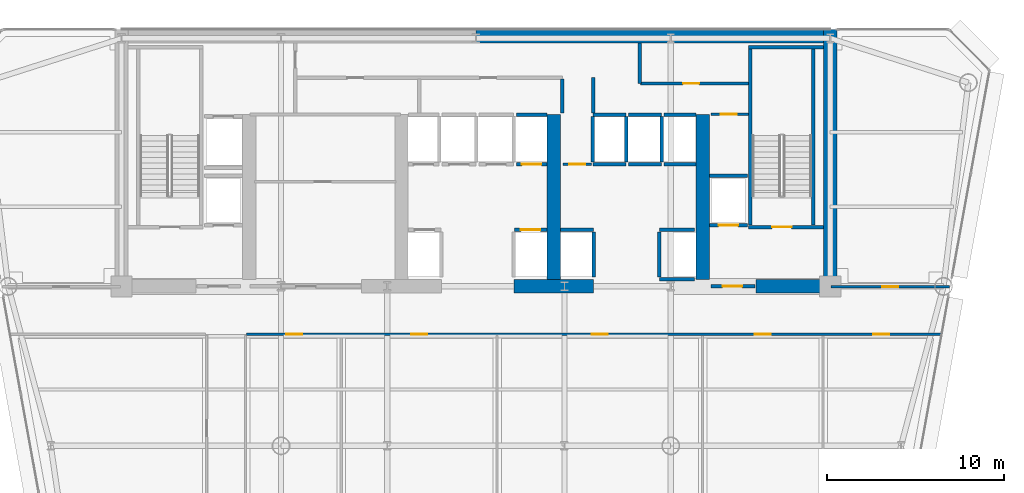
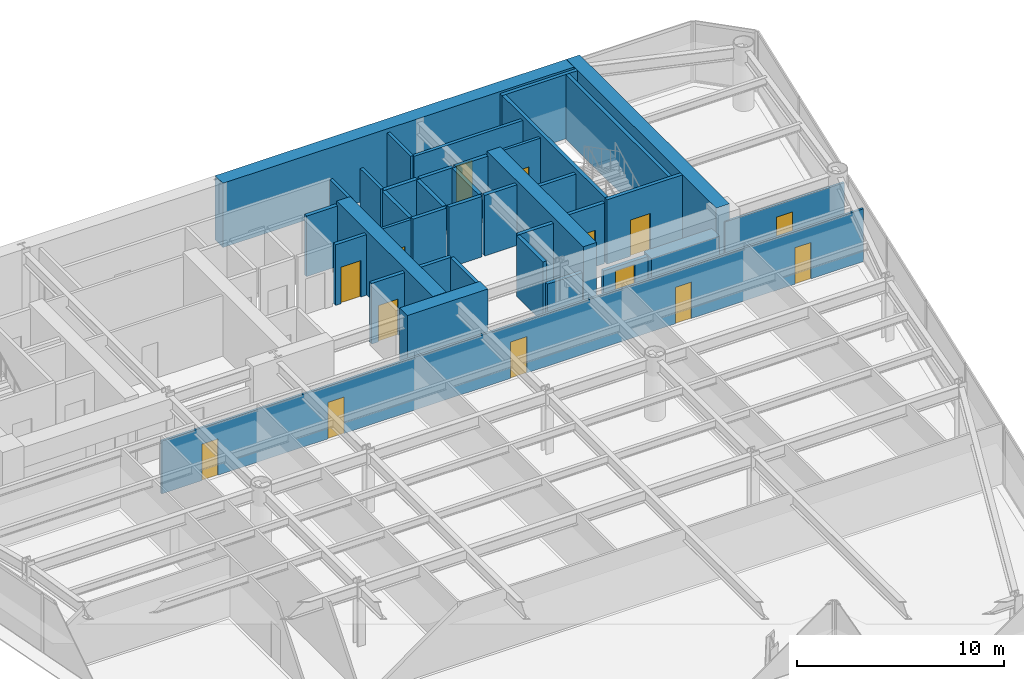
# One storey, part 9 of 14: 38 walls, 14 doors, 14 openings.
"""IFC4 building model written with IfcOpenShell, lengths in metres."""

from ifc_helpers import new_model, si_unit, direction, frame, frame_2d, origin, place, context, subcontext, project, spatial, rectangle, extrude, source, transform, mapped, material, layer, layer_set, type_object, element, fill, save


model = new_model("IFC4")

# Units and contexts
model_context = context("Model", 3, precision=1e-05, world=origin(), true_north=direction((0.0, 1.0)))
body_context = subcontext(model_context, "Body", "Model", "MODEL_VIEW")
ifc_project = project(units=[si_unit("LENGTHUNIT", "METRE"), si_unit("AREAUNIT", "SQUARE_METRE"), si_unit("VOLUMEUNIT", "CUBIC_METRE"), si_unit("PLANEANGLEUNIT", "RADIAN"), si_unit("MASSUNIT", "GRAM", prefix="KILO")], contexts=[model_context])

# Site, building, storey
site_placement = place(None, origin())
site = spatial("IfcSite", under=ifc_project, at=site_placement, CompositionType="ELEMENT")
building_placement = place(site_placement, origin())
building = spatial("IfcBuilding", under=site, at=building_placement, Name="Vaeldorn Concourse Tower", CompositionType="ELEMENT")
storey_placement = place(building_placement, frame((0.0, 0.0, 137.60009765625)))
storey = spatial("IfcBuildingStorey", under=building, at=storey_placement, Name="L35", CompositionType="ELEMENT", Elevation=137.60009765625)

# Walls
ifc_material_1 = material(Name="Concrete C60/75", Category="concrete")
ifc_layer_1 = layer(ifc_material_1, 0.75)
ifc_layer_set_1 = layer_set([ifc_layer_1], Name="Concrete C60/75")
wall_type_1 = type_object("IfcWallType", Name="WL-CORE-750", PredefinedType="SHEAR", material=ifc_layer_set_1)
wall_1_placement = place(storey_placement, frame((34.001953125, 50.625, 0.0), z_axis=(0.0, 0.0, 1.0), x_axis=(1.0, 0.0, 0.0)))
element("IfcWall", 1, at=wall_1_placement, inside=storey, type_object=wall_type_1, Name="Rear Core Shear Wall L35 N2", PredefinedType="SHEAR", context=body_context, shape_type="SweptSolid", body=[
    extrude(rectangle(XDim=19.619140625, YDim=0.75, at=frame_2d((9.8095703125, 0.0))), origin(), (0.0, 0.0, 1.0), 3.7998046875),
])
wall_2_placement = place(storey_placement, frame((54.0, 36.5, 0.0), z_axis=(0.0, 0.0, 1.0), x_axis=(0.0, 1.0, 0.0)))
element("IfcWall", 2, at=wall_2_placement, inside=storey, type_object=wall_type_1, Name="Rear Core Shear Wall L35 E1", PredefinedType="SHEAR", context=body_context, shape_type="SweptSolid", body=[
    extrude(rectangle(XDim=14.5, YDim=0.75, at=frame_2d((7.25, 0.0))), origin(), (0.0, 0.0, 1.0), 3.7998046875),
])
wall_3_placement = place(storey_placement, frame((36.14990234375, 36.5, 0.0), z_axis=(0.0, 0.0, 1.0), x_axis=(1.0, 0.0, 0.0)))
element("IfcWall", 3, at=wall_3_placement, inside=storey, type_object=wall_type_1, Name="Rear Core Shear Wall L35 S3", PredefinedType="SHEAR", context=body_context, shape_type="SweptSolid", body=[
    extrude(rectangle(XDim=4.5, YDim=0.75, at=frame_2d((2.25, 0.0))), origin(), (0.0, 0.0, 1.0), 3.7998046875),
])
wall_4_placement = place(storey_placement, frame((49.800048828125, 36.5, 0.0), z_axis=(0.0, 0.0, 1.0), x_axis=(1.0, 0.0, 0.0)))
element("IfcWall", 4, at=wall_4_placement, inside=storey, type_object=wall_type_1, Name="Rear Core Shear Wall L35 S4", PredefinedType="SHEAR", context=body_context, shape_type="SweptSolid", body=[
    extrude(rectangle(XDim=3.804931640625, YDim=0.75, at=frame_2d((1.90234375, 0.0))), origin(), (0.0, 0.0, 1.0), 2.3798828125),
])
for number, where, z_axis, x_axis, name in (
    (5, (38.39990234375, 36.89501953125, 0.0), (0.0, 0.0, 1.0), (0.0, 1.0, 0.0), "Rear Core Shear Wall L35 M3"),
    (6, (46.800048828125, 36.89501953125, 0.0), (0.0, 0.0, 1.0), (0.0, 1.0, 0.0), "Rear Core Shear Wall L35 M4"),
):
    element("IfcWall", number, at=place(storey_placement, frame(where, z_axis=z_axis, x_axis=x_axis)), inside=storey, type_object=wall_type_1, Name=name, PredefinedType="SHEAR", context=body_context, shape_type="SweptSolid", body=[
        extrude(rectangle(XDim=9.304931640625, YDim=0.75, at=frame_2d((4.65234375, 0.0))), origin(), (0.0, 0.0, 1.0), 3.7998046875),
    ])

# Wall, openings, doors
ifc_material_2 = material(Name="Gypsum Board Partition", Category="gypsum")
ifc_layer_2 = layer(ifc_material_2, 0.1201171875)
ifc_layer_set_2 = layer_set([ifc_layer_2], Name="Gypsum Board Partition")
wall_type_2 = type_object("IfcWallType", Name="WL-PART-120", PredefinedType="PARTITIONING", material=ifc_layer_set_2)
wall_5_placement = place(storey_placement, frame((21.06005859375, 33.800048828125, 0.0), z_axis=(0.0, 0.0, 1.0), x_axis=(1.0, 0.0, 0.0)))
wall_5 = element("IfcWall", 7, at=wall_5_placement, inside=storey, type_object=wall_type_2, Name="Interior Wall PW-L35-C2SE", PredefinedType="PARTITIONING", context=body_context, shape_type="SweptSolid", body=[
    extrude(rectangle(XDim=39.195068359375, YDim=0.1201171875, at=frame_2d((19.59765625, 0.0))), origin(), (0.0, 0.0, 1.0), 3.119873046875),
])
opening_1_placement = place(wall_5_placement, frame((2.239990234375, 0.0, 0.0)))
opening_1 = element("IfcOpeningElement", 8, at=opening_1_placement, cuts=wall_5, Name="Opening D-03", PredefinedType="OPENING", context=body_context, shape_type="SweptSolid", body=[
    extrude(rectangle(XDim=0.89990234375, YDim=2.14990234375, at=frame_2d((0.449951171875, 1.074951171875))), frame((0.0, 0.070068359375, 0.0), z_axis=(0.0, -1.0, 0.0), x_axis=(1.0, 0.0, 0.0)), (0.0, 0.0, 1.0), 0.14013671875),
])
opening_2_placement = place(wall_5_placement, frame((9.2900390625, 0.0, 0.0)))
opening_2 = element("IfcOpeningElement", 9, at=opening_2_placement, cuts=wall_5, Name="Opening D-03", PredefinedType="OPENING", context=body_context, shape_type="SweptSolid", body=[
    extrude(rectangle(XDim=0.89990234375, YDim=2.14990234375, at=frame_2d((0.449951171875, 1.074951171875))), frame((0.0, 0.070068359375, 0.0), z_axis=(0.0, -1.0, 0.0), x_axis=(1.0, 0.0, 0.0)), (0.0, 0.0, 1.0), 0.14013671875),
])
opening_3_placement = place(wall_5_placement, frame((19.489990234375, 0.0, 0.0)))
opening_3 = element("IfcOpeningElement", 10, at=opening_3_placement, cuts=wall_5, Name="Opening D-03", PredefinedType="OPENING", context=body_context, shape_type="SweptSolid", body=[
    extrude(rectangle(XDim=0.89990234375, YDim=2.14990234375, at=frame_2d((0.449951171875, 1.074951171875))), frame((0.0, 0.070068359375, 0.0), z_axis=(0.0, -1.0, 0.0), x_axis=(1.0, 0.0, 0.0)), (0.0, 0.0, 1.0), 0.14013671875),
])
opening_4_placement = place(wall_5_placement, frame((28.68994140625, 0.0, 0.0)))
opening_4 = element("IfcOpeningElement", 11, at=opening_4_placement, cuts=wall_5, Name="Opening D-03", PredefinedType="OPENING", context=body_context, shape_type="SweptSolid", body=[
    extrude(rectangle(XDim=0.89990234375, YDim=2.14990234375, at=frame_2d((0.449951171875, 1.074951171875))), frame((0.0, 0.070068359375, 0.0), z_axis=(0.0, -1.0, 0.0), x_axis=(1.0, 0.0, 0.0)), (0.0, 0.0, 1.0), 0.14013671875),
])
opening_5_placement = place(wall_5_placement, frame((35.367919921875, 0.0, 0.0)))
opening_5 = element("IfcOpeningElement", 12, at=opening_5_placement, cuts=wall_5, Name="Opening D-03", PredefinedType="OPENING", context=body_context, shape_type="SweptSolid", body=[
    extrude(rectangle(XDim=0.89990234375, YDim=2.14990234375, at=frame_2d((0.449951171875, 1.074951171875))), frame((0.0, 0.070068359375, 0.0), z_axis=(0.0, -1.0, 0.0), x_axis=(1.0, 0.0, 0.0)), (0.0, 0.0, 1.0), 0.14013671875),
])
ifc_material_3 = material(Name="Acoustic Bronze-Framed Glass Door", Category="glass")
door_type_1 = type_object("IfcDoorType", Name="DR-INT-900", OperationType="NOTDEFINED", PredefinedType="DOOR", material=ifc_material_3)
shared_shape_1 = source(origin(), body_context, "Body", "SweptSolid", [
    extrude(rectangle(XDim=0.89990234375, YDim=2.14990234375, at=frame_2d((0.449951171875, 1.074951171875))), frame((0.0, 0.02490234375, 0.0), z_axis=(0.0, -1.0, 0.0), x_axis=(1.0, 0.0, 0.0)), (0.0, 0.0, 1.0), 0.050048828125),
])
door_1_placement = place(opening_1_placement, origin())
door_1 = element("IfcDoor", 13, at=door_1_placement, inside=storey, type_object=door_type_1, Name="Interior Door DR-L35-Z2E1", OperationType="SINGLE_SWING_RIGHT", OverallHeight=2.14990234375, OverallWidth=0.89990234375, PredefinedType="DOOR", context=body_context, shape_type="MappedRepresentation", body=[
    mapped(shared_shape_1, transform((0.0, 0.0, 0.0), scale=1.0)),
])
fill(opening_1, door_1)
door_2_placement = place(opening_2_placement, origin())
door_2 = element("IfcDoor", 14, at=door_2_placement, inside=storey, type_object=door_type_1, Name="Interior Door DR-L35-Z2E2", OperationType="SINGLE_SWING_LEFT", OverallHeight=2.14990234375, OverallWidth=0.89990234375, PredefinedType="DOOR", context=body_context, shape_type="MappedRepresentation", body=[
    mapped(shared_shape_1, transform((0.0, 0.0, 0.0), scale=1.0)),
])
fill(opening_2, door_2)
door_3_placement = place(opening_3_placement, origin())
door_3 = element("IfcDoor", 15, at=door_3_placement, inside=storey, type_object=door_type_1, Name="Interior Door DR-L35-Z2E3", OperationType="SINGLE_SWING_RIGHT", OverallHeight=2.14990234375, OverallWidth=0.89990234375, PredefinedType="DOOR", context=body_context, shape_type="MappedRepresentation", body=[
    mapped(shared_shape_1, transform((0.0, 0.0, 0.0), scale=1.0)),
])
fill(opening_3, door_3)
door_4_placement = place(opening_4_placement, origin())
door_4 = element("IfcDoor", 16, at=door_4_placement, inside=storey, type_object=door_type_1, Name="Interior Door DR-L35-Z2E4", OperationType="SINGLE_SWING_LEFT", OverallHeight=2.14990234375, OverallWidth=0.89990234375, PredefinedType="DOOR", context=body_context, shape_type="MappedRepresentation", body=[
    mapped(shared_shape_1, transform((0.0, 0.0, 0.0), scale=1.0)),
])
fill(opening_4, door_4)
door_5_placement = place(opening_5_placement, origin())
door_5 = element("IfcDoor", 17, at=door_5_placement, inside=storey, type_object=door_type_1, Name="Interior Door DR-L35-Z2E5", OperationType="SINGLE_SWING_RIGHT", OverallHeight=2.14990234375, OverallWidth=0.89990234375, PredefinedType="DOOR", context=body_context, shape_type="MappedRepresentation", body=[
    mapped(shared_shape_1, transform((0.0, 0.0, 0.0), scale=1.0)),
])
fill(opening_5, door_5)

# Wall, opening, door
wall_6_placement = place(storey_placement, frame((54.06005859375, 36.47998046875, 0.0), z_axis=(0.0, 0.0, 1.0), x_axis=(1.0, 0.0, 0.0)))
wall_6 = element("IfcWall", 18, at=wall_6_placement, inside=storey, type_object=wall_type_2, Name="Interior Wall PW-L35-NES", PredefinedType="PARTITIONING", context=body_context, shape_type="SweptSolid", body=[
    extrude(rectangle(XDim=6.67626953125, YDim=0.1201171875, at=frame_2d((3.338134765625, 0.0))), origin(), (0.0, 0.0, 1.0), 2.869873046875),
])
opening_6_placement = place(wall_6_placement, frame((2.887939453125, 0.0, 0.0)))
opening_6 = element("IfcOpeningElement", 19, at=opening_6_placement, cuts=wall_6, Name="Opening D-03", PredefinedType="OPENING", context=body_context, shape_type="SweptSolid", body=[
    extrude(rectangle(XDim=0.89990234375, YDim=2.14990234375, at=frame_2d((0.449951171875, 1.074951171875))), frame((0.0, 0.070068359375, 0.0), z_axis=(0.0, -1.0, 0.0), x_axis=(1.0, 0.0, 0.0)), (0.0, 0.0, 1.0), 0.14013671875),
])
door_6_placement = place(opening_6_placement, origin())
door_6 = element("IfcDoor", 20, at=door_6_placement, inside=storey, type_object=door_type_1, Name="Interior Door DR-L35-NEC", OperationType="SINGLE_SWING_RIGHT", OverallHeight=2.14990234375, OverallWidth=0.89990234375, PredefinedType="DOOR", context=body_context, shape_type="MappedRepresentation", body=[
    mapped(shared_shape_1, transform((0.0, 0.0, 0.0), scale=1.0)),
])
fill(opening_6, door_6)

ifc_layer_3 = layer(ifc_material_2, 0.14990234375)
ifc_layer_set_3 = layer_set([ifc_layer_3], Name="Gypsum Board Partition")
wall_type_3 = type_object("IfcWallType", Name="WL-PART-150", PredefinedType="PARTITIONING", material=ifc_layer_set_3)
wall_7_placement = place(storey_placement, frame((47.280029296875, 46.219970703125, 0.0), z_axis=(0.0, 0.0, 1.0), x_axis=(1.0, 0.0, 0.0)))
wall_7 = element("IfcWall", 21, at=wall_7_placement, inside=storey, type_object=wall_type_3, Name="Interior Wall CW-L35-CRSE-N", PredefinedType="PARTITIONING", context=body_context, shape_type="SweptSolid", body=[
    extrude(rectangle(XDim=2.099853515625, YDim=0.14990234375, at=frame_2d((1.0498046875, 0.0))), origin(), (0.0, 0.0, 1.0), 3.579833984375),
])
opening_7_placement = place(wall_7_placement, frame((0.550048828125, 0.0, 0.0)))
opening_7 = element("IfcOpeningElement", 22, at=opening_7_placement, cuts=wall_7, Name="Opening D-02", PredefinedType="OPENING", context=body_context, shape_type="SweptSolid", body=[
    extrude(rectangle(XDim=0.89990234375, YDim=2.10009765625, at=frame_2d((0.449951171875, 1.050048828125))), frame((0.0, 0.0849609375, 0.0), z_axis=(0.0, -1.0, 0.0), x_axis=(1.0, 0.0, 0.0)), (0.0, 0.0, 1.0), 0.169921875),
])
ifc_material_4 = material(Name="Fire-Rated Timber Leaf", Category="wood")
door_type_2 = type_object("IfcDoorType", Name="DR-FD30-900", OperationType="NOTDEFINED", PredefinedType="DOOR", material=ifc_material_4)
shared_shape_2 = source(origin(), body_context, "Body", "SweptSolid", [
    extrude(rectangle(XDim=0.89990234375, YDim=2.10009765625, at=frame_2d((0.449951171875, 1.050048828125))), frame((0.0, 0.02490234375, 0.0), z_axis=(0.0, -1.0, 0.0), x_axis=(1.0, 0.0, 0.0)), (0.0, 0.0, 1.0), 0.050048828125),
])
door_7_placement = place(opening_7_placement, origin())
door_7 = element("IfcDoor", 23, at=door_7_placement, inside=storey, type_object=door_type_2, Name="Interior Door DR-L35-CRSE", OperationType="SINGLE_SWING_RIGHT", OverallHeight=2.10009765625, OverallWidth=0.89990234375, PredefinedType="DOOR", context=body_context, shape_type="MappedRepresentation", body=[
    mapped(shared_shape_2, transform((0.0, 0.0, 0.0), scale=1.0)),
])
fill(opening_7, door_7)

wall_8_placement = place(storey_placement, frame((38.919921875, 43.39990234375, 0.0), z_axis=(0.0, 0.0, 1.0), x_axis=(1.0, 0.0, 0.0)))
wall_8 = element("IfcWall", 24, at=wall_8_placement, inside=storey, type_object=wall_type_3, Name="Interior Wall CW-L35-CCLINK", PredefinedType="PARTITIONING", context=body_context, shape_type="SweptSolid", body=[
    extrude(rectangle(XDim=1.60009765625, YDim=0.14990234375, at=frame_2d((0.800048828125, 0.0))), origin(), (0.0, 0.0, 1.0), 3.579833984375),
])
opening_8_placement = place(wall_8_placement, frame((0.35009765625, 0.0, 0.0)))
opening_8 = element("IfcOpeningElement", 25, at=opening_8_placement, cuts=wall_8, Name="Opening D-02", PredefinedType="OPENING", context=body_context, shape_type="SweptSolid", body=[
    extrude(rectangle(XDim=0.89990234375, YDim=2.10009765625, at=frame_2d((0.449951171875, 1.050048828125))), frame((0.0, 0.0849609375, 0.0), z_axis=(0.0, -1.0, 0.0), x_axis=(1.0, 0.0, 0.0)), (0.0, 0.0, 1.0), 0.169921875),
])
door_8_placement = place(opening_8_placement, origin())
door_8 = element("IfcDoor", 26, at=door_8_placement, inside=storey, type_object=door_type_2, Name="Interior Door DR-L35-CCLINK", OperationType="SINGLE_SWING_LEFT", OverallHeight=2.10009765625, OverallWidth=0.89990234375, PredefinedType="DOOR", context=body_context, shape_type="MappedRepresentation", body=[
    mapped(shared_shape_2, transform((0.0, 0.0, 0.0), scale=1.0)),
])
fill(opening_8, door_8)

# Walls
ifc_layer_4 = layer(ifc_material_2, 0.179931640625)
ifc_layer_set_4 = layer_set([ifc_layer_4], Name="Gypsum Board Partition")
wall_type_4 = type_object("IfcWallType", Name="WL-PLUMB-180", PredefinedType="PLUMBINGWALL", material=ifc_layer_set_4)
wall_9_placement = place(storey_placement, frame((38.8798828125, 46.280029296875, 0.0), z_axis=(0.0, 0.0, 1.0), x_axis=(0.0, 1.0, 0.0)))
element("IfcWall", 27, at=wall_9_placement, inside=storey, type_object=wall_type_4, Name="Interior Wall CW-L35-SDIV4", PredefinedType="PLUMBINGWALL", context=body_context, shape_type="SweptSolid", body=[
    extrude(rectangle(XDim=1.93994140625, YDim=0.179931640625, at=frame_2d((0.969970703125, 0.0))), origin(), (0.0, 0.0, 1.0), 3.579833984375),
])
wall_10_placement = place(storey_placement, frame((40.6201171875, 46.280029296875, 0.0), z_axis=(0.0, 0.0, 1.0), x_axis=(0.0, 1.0, 0.0)))
element("IfcWall", 28, at=wall_10_placement, inside=storey, type_object=wall_type_4, Name="Interior Wall CW-L35-SDIV5", PredefinedType="PLUMBINGWALL", context=body_context, shape_type="SweptSolid", body=[
    extrude(rectangle(XDim=2.0, YDim=0.179931640625, at=frame_2d((1.0, 0.0))), origin(), (0.0, 0.0, 1.0), 3.579833984375),
])
wall_11_placement = place(storey_placement, frame((43.25, 47.949951171875, 0.0), z_axis=(0.0, 0.0, 1.0), x_axis=(0.0, 1.0, 0.0)))
element("IfcWall", 29, at=wall_11_placement, inside=storey, type_object=wall_type_4, Name="Interior Wall CW-L35-SDIV6", PredefinedType="PLUMBINGWALL", context=body_context, shape_type="SweptSolid", body=[
    extrude(rectangle(XDim=2.280029296875, YDim=0.179931640625, at=frame_2d((1.14013671875, 0.0))), origin(), (0.0, 0.0, 1.0), 3.579833984375),
])

# Wall, opening, door
wall_12_placement = place(storey_placement, frame((43.300048828125, 47.949951171875, 0.0), z_axis=(0.0, 0.0, 1.0), x_axis=(1.0, 0.0, 0.0)))
wall_12 = element("IfcWall", 30, at=wall_12_placement, inside=storey, type_object=wall_type_4, Name="Interior Wall CW-L35-NS2EE", PredefinedType="PLUMBINGWALL", context=body_context, shape_type="SweptSolid", body=[
    extrude(rectangle(XDim=6.079833984375, YDim=0.179931640625, at=frame_2d((3.0400390625, 0.0))), origin(), (0.0, 0.0, 1.0), 3.579833984375),
])
opening_9_placement = place(wall_12_placement, frame((2.39990234375, 0.0, 0.0)))
opening_9 = element("IfcOpeningElement", 31, at=opening_9_placement, cuts=wall_12, Name="Opening D-03", PredefinedType="OPENING", context=body_context, shape_type="SweptSolid", body=[
    extrude(rectangle(XDim=0.89990234375, YDim=2.14990234375, at=frame_2d((0.449951171875, 1.074951171875))), frame((0.0, 0.10009765625, 0.0), z_axis=(0.0, -1.0, 0.0), x_axis=(1.0, 0.0, 0.0)), (0.0, 0.0, 1.0), 0.199951171875),
])
door_9_placement = place(opening_9_placement, origin())
door_9 = element("IfcDoor", 32, at=door_9_placement, inside=storey, type_object=door_type_1, Name="Interior Door DR-L35-CS5", OperationType="SINGLE_SWING_RIGHT", OverallHeight=2.14990234375, OverallWidth=0.89990234375, PredefinedType="DOOR", context=body_context, shape_type="MappedRepresentation", body=[
    mapped(shared_shape_1, transform((0.0, 0.0, 0.0), scale=1.0)),
])
fill(opening_9, door_9)

ifc_material_5 = material(Name="Concrete C50/60", Category="concrete")
ifc_layer_5 = layer(ifc_material_5, 0.199951171875)
ifc_layer_set_5 = layer_set([ifc_layer_5], Name="Concrete C50/60")
wall_type_5 = type_object("IfcWallType", Name="WL-SHAFT-200", PredefinedType="SOLIDWALL", material=ifc_layer_set_5)
wall_13_placement = place(storey_placement, frame((49.39990234375, 39.85009765625, 0.0), z_axis=(0.0, 0.0, 1.0), x_axis=(1.0, 0.0, 0.0)))
wall_13 = element("IfcWall", 33, at=wall_13_placement, inside=storey, type_object=wall_type_5, Name="Stair Shaft Wall CW-L35-ST-2-S", PredefinedType="SOLIDWALL", context=body_context, shape_type="SweptSolid", body=[
    extrude(rectangle(XDim=4.22509765625, YDim=0.199951171875, at=frame_2d((2.112548828125, 0.0))), origin(), (0.0, 0.0, 1.0), 3.7998046875),
])
opening_10_placement = place(wall_13_placement, frame((1.324951171875, 0.0, 0.0)))
opening_10 = element("IfcOpeningElement", 34, at=opening_10_placement, cuts=wall_13, Name="Opening D-01", PredefinedType="OPENING", context=body_context, shape_type="SweptSolid", body=[
    extrude(rectangle(XDim=1.10009765625, YDim=2.14990234375, at=frame_2d((0.550048828125, 1.074951171875))), frame((0.0, 0.10986328125, 0.0), z_axis=(0.0, -1.0, 0.0), x_axis=(1.0, 0.0, 0.0)), (0.0, 0.0, 1.0), 0.219970703125),
])
ifc_material_6 = material(Name="Fire-Rated Timber and Steel Leaf", Category="steel")
door_type_3 = type_object("IfcDoorType", Name="DR-FD60-1100", OperationType="NOTDEFINED", PredefinedType="DOOR", material=ifc_material_6)
shared_shape_3 = source(origin(), body_context, "Body", "SweptSolid", [
    extrude(rectangle(XDim=1.10009765625, YDim=2.14990234375, at=frame_2d((0.550048828125, 1.074951171875))), frame((0.0, 0.02490234375, 0.0), z_axis=(0.0, -1.0, 0.0), x_axis=(1.0, 0.0, 0.0)), (0.0, 0.0, 1.0), 0.050048828125),
])
door_10_placement = place(opening_10_placement, origin())
door_10 = element("IfcDoor", 35, at=door_10_placement, inside=storey, type_object=door_type_3, Name="Interior Door DR-L35-ST-2", OperationType="SINGLE_SWING_RIGHT", OverallHeight=2.14990234375, OverallWidth=1.10009765625, PredefinedType="DOOR", context=body_context, shape_type="MappedRepresentation", body=[
    mapped(shared_shape_3, transform((0.0, 0.0, 0.0), scale=1.0)),
])
fill(opening_10, door_10)

# Walls
wall_14_placement = place(storey_placement, frame((49.39990234375, 50.0, 0.0), z_axis=(0.0, 0.0, 1.0), x_axis=(1.0, 0.0, 0.0)))
element("IfcWall", 36, at=wall_14_placement, inside=storey, type_object=wall_type_5, Name="Stair Shaft Wall CW-L35-ST-2-N", PredefinedType="SOLIDWALL", context=body_context, shape_type="SweptSolid", body=[
    extrude(rectangle(XDim=4.22509765625, YDim=0.199951171875, at=frame_2d((2.112548828125, 0.0))), origin(), (0.0, 0.0, 1.0), 3.7998046875),
])
for number, where, z_axis, x_axis, name in (
    (37, (49.5, 39.9599609375, 0.0), (0.0, 0.0, 1.0), (0.0, 1.0, 0.0), "Stair Shaft Wall CW-L35-ST-2-W"),
    (38, (53.050048828125, 39.9599609375, 0.0), (0.0, 0.0, 1.0), (0.0, 1.0, 0.0), "Stair Shaft Wall CW-L35-ST-2-E"),
):
    element("IfcWall", number, at=place(storey_placement, frame(where, z_axis=z_axis, x_axis=x_axis)), inside=storey, type_object=wall_type_5, Name=name, PredefinedType="SOLIDWALL", context=body_context, shape_type="SweptSolid", body=[
        extrude(rectangle(XDim=9.929931640625, YDim=0.199951171875, at=frame_2d((4.96484375, 0.0))), origin(), (0.0, 0.0, 1.0), 3.7998046875),
    ])

# Wall, opening, door
wall_15_placement = place(storey_placement, frame((47.280029296875, 36.5, 0.0), z_axis=(0.0, 0.0, 1.0), x_axis=(1.0, 0.0, 0.0)))
wall_15 = element("IfcWall", 39, at=wall_15_placement, inside=storey, type_object=wall_type_5, Name="Interior Wall CW-L35-FF2S", PredefinedType="SOLIDWALL", context=body_context, shape_type="SweptSolid", body=[
    extrude(rectangle(XDim=2.469970703125, YDim=0.199951171875, at=frame_2d((1.23486328125, 0.0))), origin(), (0.0, 0.0, 1.0), 2.369873046875),
])
opening_11_placement = place(wall_15_placement, frame((0.64990234375, 0.0, 0.0)))
opening_11 = element("IfcOpeningElement", 40, at=opening_11_placement, cuts=wall_15, Name="Opening D-01", PredefinedType="OPENING", context=body_context, shape_type="SweptSolid", body=[
    extrude(rectangle(XDim=1.10009765625, YDim=2.14990234375, at=frame_2d((0.550048828125, 1.074951171875))), frame((0.0, 0.10986328125, 0.0), z_axis=(0.0, -1.0, 0.0), x_axis=(1.0, 0.0, 0.0)), (0.0, 0.0, 1.0), 0.219970703125),
])
door_11_placement = place(opening_11_placement, origin())
door_11 = element("IfcDoor", 41, at=door_11_placement, inside=storey, type_object=door_type_3, Name="Interior Door DR-L35-FF2W", OperationType="SINGLE_SWING_LEFT", OverallHeight=2.14990234375, OverallWidth=1.10009765625, PredefinedType="DOOR", context=body_context, shape_type="MappedRepresentation", body=[
    mapped(shared_shape_3, transform((0.0, 0.0, 0.0), scale=1.0)),
])
fill(opening_11, door_11)

wall_16_placement = place(storey_placement, frame((36.169921875, 39.699951171875, 0.0), z_axis=(0.0, 0.0, 1.0), x_axis=(1.0, 0.0, 0.0)))
wall_16 = element("IfcWall", 42, at=wall_16_placement, inside=storey, type_object=wall_type_5, Name="Interior Wall CW-L35-LF-LF-08", PredefinedType="SOLIDWALL", context=body_context, shape_type="SweptSolid", body=[
    extrude(rectangle(XDim=1.844970703125, YDim=0.199951171875, at=frame_2d((0.92236328125, 0.0))), origin(), (0.0, 0.0, 1.0), 3.579833984375),
])
opening_12_placement = place(wall_16_placement, frame((0.3720703125, 0.0, 0.0)))
opening_12 = element("IfcOpeningElement", 43, at=opening_12_placement, cuts=wall_16, Name="Opening LD-1", PredefinedType="OPENING", context=body_context, shape_type="SweptSolid", body=[
    extrude(rectangle(XDim=1.10009765625, YDim=2.14990234375, at=frame_2d((0.550048828125, 1.074951171875))), frame((0.0, 0.10986328125, 0.0), z_axis=(0.0, -1.0, 0.0), x_axis=(1.0, 0.0, 0.0)), (0.0, 0.0, 1.0), 0.219970703125),
])
ifc_material_7 = material(Name="Anodised Bronze Aluminium", Category="aluminium")
door_type_4 = type_object("IfcDoorType", Name="DR-LIFT-SLIDE-1100", OperationType="DOUBLE_DOOR_SLIDING", PredefinedType="DOOR", material=ifc_material_7)
door_12_placement = place(opening_12_placement, origin())
door_12 = element("IfcDoor", 44, at=door_12_placement, inside=storey, type_object=door_type_4, Name="Lift Landing Door LD-L35-LF-08", OperationType="DOUBLE_DOOR_SLIDING", OverallHeight=2.14990234375, OverallWidth=1.10009765625, PredefinedType="DOOR", context=body_context, shape_type="MappedRepresentation", body=[
    mapped(shared_shape_3, transform((0.0, 0.0, 0.0), scale=1.0)),
])
fill(opening_12, door_12)

wall_17_placement = place(storey_placement, frame((36.2900390625, 43.39990234375, 0.0), z_axis=(0.0, 0.0, 1.0), x_axis=(1.0, 0.0, 0.0)))
wall_17 = element("IfcWall", 45, at=wall_17_placement, inside=storey, type_object=wall_type_5, Name="Interior Wall CW-L35-LF-LF-12", PredefinedType="SOLIDWALL", context=body_context, shape_type="SweptSolid", body=[
    extrude(rectangle(XDim=1.724853515625, YDim=0.199951171875, at=frame_2d((0.8623046875, 0.0))), origin(), (0.0, 0.0, 1.0), 3.579833984375),
])
opening_13_placement = place(wall_17_placement, frame((0.31298828125, 0.0, 0.0)))
opening_13 = element("IfcOpeningElement", 46, at=opening_13_placement, cuts=wall_17, Name="Opening LD-1", PredefinedType="OPENING", context=body_context, shape_type="SweptSolid", body=[
    extrude(rectangle(XDim=1.10009765625, YDim=2.14990234375, at=frame_2d((0.550048828125, 1.074951171875))), frame((0.0, 0.10986328125, 0.0), z_axis=(0.0, -1.0, 0.0), x_axis=(1.0, 0.0, 0.0)), (0.0, 0.0, 1.0), 0.219970703125),
])
door_13_placement = place(opening_13_placement, origin())
door_13 = element("IfcDoor", 47, at=door_13_placement, inside=storey, type_object=door_type_4, Name="Lift Landing Door LD-L35-LF-12", OperationType="DOUBLE_DOOR_SLIDING", OverallHeight=2.14990234375, OverallWidth=1.10009765625, PredefinedType="DOOR", context=body_context, shape_type="MappedRepresentation", body=[
    mapped(shared_shape_3, transform((0.0, 0.0, 0.0), scale=1.0)),
])
fill(opening_13, door_13)

# Walls
wall_18_placement = place(storey_placement, frame((36.2900390625, 46.199951171875, 0.0), z_axis=(0.0, 0.0, 1.0), x_axis=(1.0, 0.0, 0.0)))
element("IfcWall", 48, at=wall_18_placement, inside=storey, type_object=wall_type_5, Name="Interior Wall CW-L35-LFB-LF-12", PredefinedType="SOLIDWALL", context=body_context, shape_type="SweptSolid", body=[
    extrude(rectangle(XDim=1.724853515625, YDim=0.199951171875, at=frame_2d((0.8623046875, 0.0))), origin(), (0.0, 0.0, 1.0), 3.579833984375),
])
wall_19_placement = place(storey_placement, frame((38.784912109375, 39.699951171875, 0.0), z_axis=(0.0, 0.0, 1.0), x_axis=(1.0, 0.0, 0.0)))
element("IfcWall", 49, at=wall_19_placement, inside=storey, type_object=wall_type_5, Name="Interior Wall CW-L35-LF-LF-13", PredefinedType="SOLIDWALL", context=body_context, shape_type="SweptSolid", body=[
    extrude(rectangle(XDim=1.844970703125, YDim=0.199951171875, at=frame_2d((0.92236328125, 0.0))), origin(), (0.0, 0.0, 1.0), 3.579833984375),
])
wall_20_placement = place(storey_placement, frame((40.64990234375, 37.02001953125, 0.0), z_axis=(0.0, 0.0, 1.0), x_axis=(0.0, 1.0, 0.0)))
element("IfcWall", 50, at=wall_20_placement, inside=storey, type_object=wall_type_5, Name="Interior Wall CW-L35-LFE-LF-13", PredefinedType="SOLIDWALL", context=body_context, shape_type="SweptSolid", body=[
    extrude(rectangle(XDim=2.56005859375, YDim=0.199951171875, at=frame_2d((1.280029296875, 0.0))), origin(), (0.0, 0.0, 1.0), 3.579833984375),
])
wall_21_placement = place(storey_placement, frame((44.3701171875, 39.699951171875, 0.0), z_axis=(0.0, 0.0, 1.0), x_axis=(1.0, 0.0, 0.0)))
element("IfcWall", 51, at=wall_21_placement, inside=storey, type_object=wall_type_5, Name="Interior Wall CW-L35-LF-LF-14", PredefinedType="SOLIDWALL", context=body_context, shape_type="SweptSolid", body=[
    extrude(rectangle(XDim=1.9599609375, YDim=0.199951171875, at=frame_2d((0.97998046875, 0.0))), origin(), (0.0, 0.0, 1.0), 3.579833984375),
])
wall_22_placement = place(storey_placement, frame((44.3701171875, 36.89990234375, 0.0), z_axis=(0.0, 0.0, 1.0), x_axis=(1.0, 0.0, 0.0)))
element("IfcWall", 52, at=wall_22_placement, inside=storey, type_object=wall_type_5, Name="Interior Wall CW-L35-LFB-LF-14", PredefinedType="SOLIDWALL", context=body_context, shape_type="SweptSolid", body=[
    extrude(rectangle(XDim=1.9599609375, YDim=0.199951171875, at=frame_2d((0.97998046875, 0.0))), origin(), (0.0, 0.0, 1.0), 2.369873046875),
])
wall_23_placement = place(storey_placement, frame((44.35009765625, 37.02001953125, 0.0), z_axis=(0.0, 0.0, 1.0), x_axis=(0.0, 1.0, 0.0)))
element("IfcWall", 53, at=wall_23_placement, inside=storey, type_object=wall_type_5, Name="Interior Wall CW-L35-LFW-LF-14", PredefinedType="SOLIDWALL", context=body_context, shape_type="SweptSolid", body=[
    extrude(rectangle(XDim=2.56005859375, YDim=0.199951171875, at=frame_2d((1.280029296875, 0.0))), origin(), (0.0, 0.0, 1.0), 3.579833984375),
])
for number, where, z_axis, x_axis, name in (
    (54, (40.6201171875, 43.39990234375, 0.0), (0.0, 0.0, 1.0), (1.0, 0.0, 0.0), "Interior Wall CW-L35-LF-LF-15"),
    (55, (40.6201171875, 46.199951171875, 0.0), (0.0, 0.0, 1.0), (1.0, 0.0, 0.0), "Interior Wall CW-L35-LFB-LF-15"),
):
    element("IfcWall", number, at=place(storey_placement, frame(where, z_axis=z_axis, x_axis=x_axis)), inside=storey, type_object=wall_type_5, Name=name, PredefinedType="SOLIDWALL", context=body_context, shape_type="SweptSolid", body=[
        extrude(rectangle(XDim=1.85986328125, YDim=0.199951171875, at=frame_2d((0.929931640625, 0.0))), origin(), (0.0, 0.0, 1.0), 3.579833984375),
    ])
for number, where, z_axis, x_axis, name in (
    (56, (40.60009765625, 43.52001953125, 0.0), (0.0, 0.0, 1.0), (0.0, 1.0, 0.0), "Interior Wall CW-L35-LFW-LF-15"),
    (57, (42.5, 43.52001953125, 0.0), (0.0, 0.0, 1.0), (0.0, 1.0, 0.0), "Interior Wall CW-L35-LFE-LF-15"),
):
    element("IfcWall", number, at=place(storey_placement, frame(where, z_axis=z_axis, x_axis=x_axis)), inside=storey, type_object=wall_type_5, Name=name, PredefinedType="SOLIDWALL", context=body_context, shape_type="SweptSolid", body=[
        extrude(rectangle(XDim=2.56005859375, YDim=0.199951171875, at=frame_2d((1.280029296875, 0.0))), origin(), (0.0, 0.0, 1.0), 3.579833984375),
    ])
for number, where, z_axis, x_axis, name in (
    (58, (42.6201171875, 43.39990234375, 0.0), (0.0, 0.0, 1.0), (1.0, 0.0, 0.0), "Interior Wall CW-L35-LF-LF-16"),
    (59, (42.6201171875, 46.199951171875, 0.0), (0.0, 0.0, 1.0), (1.0, 0.0, 0.0), "Interior Wall CW-L35-LFB-LF-16"),
):
    element("IfcWall", number, at=place(storey_placement, frame(where, z_axis=z_axis, x_axis=x_axis)), inside=storey, type_object=wall_type_5, Name=name, PredefinedType="SOLIDWALL", context=body_context, shape_type="SweptSolid", body=[
        extrude(rectangle(XDim=1.85986328125, YDim=0.199951171875, at=frame_2d((0.929931640625, 0.0))), origin(), (0.0, 0.0, 1.0), 3.579833984375),
    ])
wall_24_placement = place(storey_placement, frame((44.5, 43.52001953125, 0.0), z_axis=(0.0, 0.0, 1.0), x_axis=(0.0, 1.0, 0.0)))
element("IfcWall", 60, at=wall_24_placement, inside=storey, type_object=wall_type_5, Name="Interior Wall CW-L35-LFE-LF-16", PredefinedType="SOLIDWALL", context=body_context, shape_type="SweptSolid", body=[
    extrude(rectangle(XDim=2.56005859375, YDim=0.199951171875, at=frame_2d((1.280029296875, 0.0))), origin(), (0.0, 0.0, 1.0), 3.579833984375),
])
for number, where, z_axis, x_axis, name in (
    (61, (44.6201171875, 43.39990234375, 0.0), (0.0, 0.0, 1.0), (1.0, 0.0, 0.0), "Interior Wall CW-L35-LF-LF-17"),
    (62, (44.6201171875, 46.199951171875, 0.0), (0.0, 0.0, 1.0), (1.0, 0.0, 0.0), "Interior Wall CW-L35-LFB-LF-17"),
):
    element("IfcWall", number, at=place(storey_placement, frame(where, z_axis=z_axis, x_axis=x_axis)), inside=storey, type_object=wall_type_5, Name=name, PredefinedType="SOLIDWALL", context=body_context, shape_type="SweptSolid", body=[
        extrude(rectangle(XDim=1.794921875, YDim=0.199951171875, at=frame_2d((0.8974609375, 0.0))), origin(), (0.0, 0.0, 1.0), 3.579833984375),
    ])

# Wall, opening, door
wall_25_placement = place(storey_placement, frame((47.18505859375, 39.949951171875, 0.0), z_axis=(0.0, 0.0, 1.0), x_axis=(1.0, 0.0, 0.0)))
wall_25 = element("IfcWall", 63, at=wall_25_placement, inside=storey, type_object=wall_type_5, Name="Interior Wall CW-L35-LF-LF-FF2", PredefinedType="SOLIDWALL", context=body_context, shape_type="SweptSolid", body=[
    extrude(rectangle(XDim=2.14501953125, YDim=0.199951171875, at=frame_2d((1.072509765625, 0.0))), origin(), (0.0, 0.0, 1.0), 3.579833984375),
])
opening_14_placement = place(wall_25_placement, frame((0.52197265625, 0.0, 0.0)))
opening_14 = element("IfcOpeningElement", 64, at=opening_14_placement, cuts=wall_25, Name="Opening LD-1", PredefinedType="OPENING", context=body_context, shape_type="SweptSolid", body=[
    extrude(rectangle(XDim=1.10009765625, YDim=2.14990234375, at=frame_2d((0.550048828125, 1.074951171875))), frame((0.0, 0.10986328125, 0.0), z_axis=(0.0, -1.0, 0.0), x_axis=(1.0, 0.0, 0.0)), (0.0, 0.0, 1.0), 0.219970703125),
])
door_14_placement = place(opening_14_placement, origin())
door_14 = element("IfcDoor", 65, at=door_14_placement, inside=storey, type_object=door_type_4, Name="Lift Landing Door LD-L35-LF-FF2", OperationType="DOUBLE_DOOR_SLIDING", OverallHeight=2.14990234375, OverallWidth=1.10009765625, PredefinedType="DOOR", context=body_context, shape_type="MappedRepresentation", body=[
    mapped(shared_shape_3, transform((0.0, 0.0, 0.0), scale=1.0)),
])
fill(opening_14, door_14)

# Wall
wall_26_placement = place(storey_placement, frame((47.18505859375, 42.75, 0.0), z_axis=(0.0, 0.0, 1.0), x_axis=(1.0, 0.0, 0.0)))
element("IfcWall", 66, at=wall_26_placement, inside=storey, type_object=wall_type_5, Name="Interior Wall CW-L35-LFB-LF-FF2", PredefinedType="SOLIDWALL", context=body_context, shape_type="SweptSolid", body=[
    extrude(rectangle(XDim=2.14501953125, YDim=0.199951171875, at=frame_2d((1.072509765625, 0.0))), origin(), (0.0, 0.0, 1.0), 3.579833984375),
])

save(model, "model.ifc")
